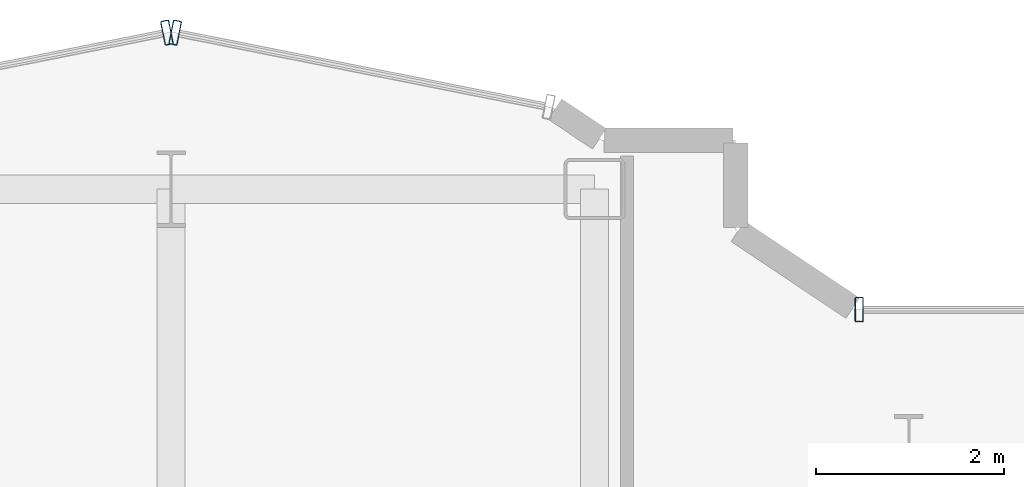
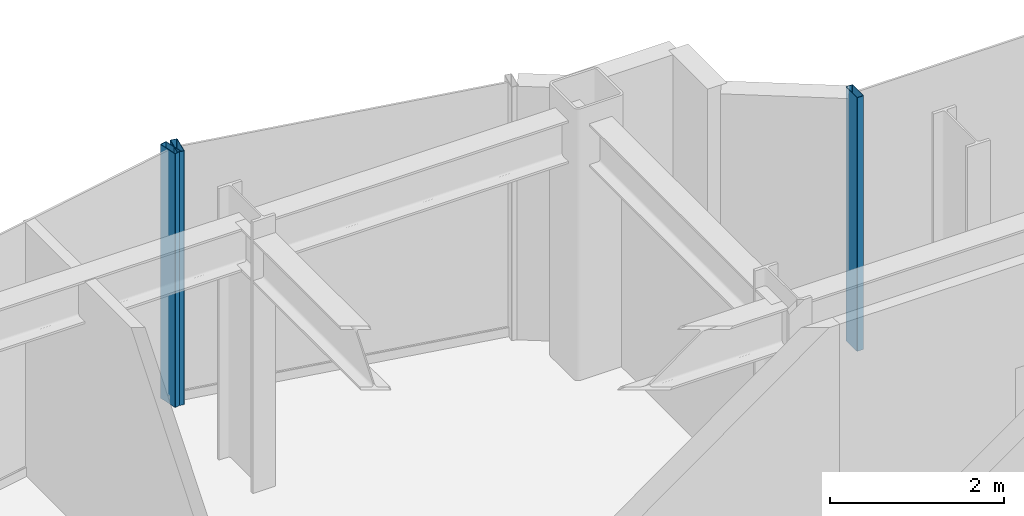
# One storey, part 11 of 21: 3 members, 3 elements without a shape of their own.
"""IFC4 building model written with IfcOpenShell, lengths in metres."""

import ifcopenshell
import ifcopenshell.guid

model = None  # the IFC model being written
_history = None  # IfcOwnerHistory: only IFC2X3 demands one
_inside = {}  # id of a spatial element -> (the spatial element, [elements in it])
_under = {}  # id of a project, library or spatial element -> (it, [spatial elements below it])
_declared = {}  # id of a project -> (the project, [libraries it declares])
_typed = {}  # id of a type object -> (the type object, [elements of that type])
_made_of = {}  # id of a material, layer set ... -> (it, [elements and type objects made of it])


def new_model(schema):
    """Start an empty IFC model of exactly this schema.

    Asked for "IFC4X3", IfcOpenShell would pick the latest addendum, in which some entities
    have other attributes; the version numbers below select the first issue.
    IFC2X3 requires an IfcOwnerHistory on every rooted entity: one is made here for all.
    """
    global model, _history
    if schema == "IFC4X3":
        model = ifcopenshell.file(schema_version=(4, 3, 0, 0))
    else:
        model = ifcopenshell.file(schema=schema)
    _inside.clear()
    _under.clear()
    _declared.clear()
    _typed.clear()
    _made_of.clear()
    _history = None
    if model.schema == "IFC2X3":
        org = make("IfcOrganization", Name="unknown")
        user = make(
            "IfcPersonAndOrganization",
            ThePerson=make("IfcPerson", FamilyName="unknown"),
            TheOrganization=org,
        )
        app = make(
            "IfcApplication",
            ApplicationDeveloper=org,
            Version="unknown",
            ApplicationFullName="unknown",
            ApplicationIdentifier="unknown",
        )
        _history = make(
            "IfcOwnerHistory",
            OwningUser=user,
            OwningApplication=app,
            ChangeAction="ADDED",
            CreationDate=0,
        )
    return model


def make(cls, **values):
    """One entity of the class cls with the attributes given. An attribute that is None is left unset."""
    return model.create_entity(
        cls, **{name: value for name, value in values.items() if value is not None}
    )


def rooted(cls, **values):
    """An entity with a GlobalId (a new one), such as an element, a storey or a relation."""
    return make(cls, GlobalId=ifcopenshell.guid.new(), OwnerHistory=_history, **values)


def si_unit(unit_type, name, prefix=None):
    """IfcSIUnit, for example si_unit("LENGTHUNIT", "METRE", prefix="MILLI")."""
    return make("IfcSIUnit", UnitType=unit_type, Prefix=prefix, Name=name)


def assignment(units):
    """IfcUnitAssignment: the units of a project."""
    return None if units is None else make("IfcUnitAssignment", Units=units)


def point(xyz):
    """IfcCartesianPoint."""
    return None if xyz is None else make("IfcCartesianPoint", Coordinates=xyz)


def direction(xyz):
    """IfcDirection."""
    return None if xyz is None else make("IfcDirection", DirectionRatios=xyz)


def frame(location, z_axis=None, x_axis=None):
    """IfcAxis2Placement3D, a coordinate frame: its origin and axes. An axis left out is left unset."""
    return make(
        "IfcAxis2Placement3D",
        Location=point(location),
        Axis=direction(z_axis),
        RefDirection=direction(x_axis),
    )


def frame_2d(location, x_axis=None):
    """IfcAxis2Placement2D, a coordinate frame in the plane: its origin and x axis."""
    return make(
        "IfcAxis2Placement2D", Location=point(location), RefDirection=direction(x_axis)
    )


def origin():
    """The frame at (0, 0, 0) with its axes left unset."""
    return frame((0.0, 0.0, 0.0))


def origin_2d():
    """The frame at (0, 0) in the plane with its x axis left unset."""
    return frame_2d((0.0, 0.0))


def place(relative_to, where):
    """IfcLocalPlacement: puts the frame where relative to a parent placement (None: the world)."""
    return make(
        "IfcLocalPlacement", PlacementRelTo=relative_to, RelativePlacement=where
    )


def context(
    kind, dimensions, precision=None, world=None, true_north=None, identifier=None
):
    """IfcGeometricRepresentationContext, for example the 3D "Model" context."""
    return make(
        "IfcGeometricRepresentationContext",
        ContextIdentifier=identifier,
        ContextType=kind,
        CoordinateSpaceDimension=dimensions,
        Precision=precision,
        WorldCoordinateSystem=world,
        TrueNorth=true_north,
    )


def subcontext(parent, identifier, kind, view, scale=None):
    """IfcGeometricRepresentationSubContext, for example "Body" below "Model"."""
    return make(
        "IfcGeometricRepresentationSubContext",
        ContextIdentifier=identifier,
        ContextType=kind,
        ParentContext=parent,
        TargetScale=scale,
        TargetView=view,
    )


def project(units=None, contexts=None):
    """IfcProject with its units and contexts."""
    return rooted(
        "IfcProject",
        Name="project",
        RepresentationContexts=contexts,
        UnitsInContext=assignment(units),
    )


def spatial(cls, under=None, at=None, **own):
    """A site, building, storey or space (cls), placed at a placement, below another one or the project."""
    s = rooted(cls, ObjectPlacement=at, **own)
    if under is not None:
        _under.setdefault(under.id(), (under, []))[1].append(s)
    return s


def profile(cls, at=None, kind="AREA", **sizes):
    """A parametric profile (cls). Its sizes go by their IFC names, for example OverallWidth=200.0."""
    return make(cls, ProfileType=kind, Position=at, **sizes)


def hollow_rectangle(**sizes):
    """IfcRectangleHollowProfileDef."""
    return profile("IfcRectangleHollowProfileDef", **sizes)


def extrude(swept, where, along, depth):
    """IfcExtrudedAreaSolid: the profile swept, set in the frame where, extruded along a direction by depth."""
    return make(
        "IfcExtrudedAreaSolid",
        SweptArea=swept,
        Position=where,
        ExtrudedDirection=direction(along),
        Depth=depth,
    )


def shape(context_of_items, identifier, shape_type, items):
    """IfcShapeRepresentation: the items that make up one representation, for example the "Body"."""
    return make(
        "IfcShapeRepresentation",
        ContextOfItems=context_of_items,
        RepresentationIdentifier=identifier,
        RepresentationType=shape_type,
        Items=items,
    )


def source(mapping_origin, context_of_items, identifier, shape_type, items):
    """IfcRepresentationMap: a shape defined once, which mapped items show again and again."""
    return make(
        "IfcRepresentationMap",
        MappingOrigin=mapping_origin,
        MappedRepresentation=shape(context_of_items, identifier, shape_type, items),
    )


def transform(
    local_origin,
    x_axis=None,
    y_axis=None,
    z_axis=None,
    scale=None,
    scale2=None,
    scale3=None,
    uniform=True,
):
    """IfcCartesianTransformationOperator3D, or its non-uniform kind. x_axis, y_axis, z_axis: its Axis1, 2, 3."""
    if uniform:
        return make(
            "IfcCartesianTransformationOperator3D",
            Axis1=direction(x_axis),
            Axis2=direction(y_axis),
            LocalOrigin=point(local_origin),
            Scale=scale,
            Axis3=direction(z_axis),
        )
    return make(
        "IfcCartesianTransformationOperator3DnonUniform",
        Axis1=direction(x_axis),
        Axis2=direction(y_axis),
        LocalOrigin=point(local_origin),
        Scale=scale,
        Axis3=direction(z_axis),
        Scale2=scale2,
        Scale3=scale3,
    )


def mapped(mapping_source, mapping_target):
    """IfcMappedItem: shows the shape of a source again, moved by a transform."""
    return make(
        "IfcMappedItem", MappingSource=mapping_source, MappingTarget=mapping_target
    )


def material(Name=None, Category=None):
    """IfcMaterial."""
    return make("IfcMaterial", Name=Name, Category=Category)


def layer(
    of_material, thickness, ventilated=None, Name=None, Category=None, Priority=None
):
    """IfcMaterialLayer: one layer of a wall or slab, of a material (None: an air gap)."""
    return make(
        "IfcMaterialLayer",
        Material=of_material,
        LayerThickness=thickness,
        IsVentilated=ventilated,
        Name=Name,
        Category=Category,
        Priority=Priority,
    )


def layer_set(layers, Name=None):
    """IfcMaterialLayerSet."""
    return make("IfcMaterialLayerSet", MaterialLayers=layers, LayerSetName=Name)


def material_profile(
    of_material, cross_section, Name=None, Category=None, Priority=None
):
    """IfcMaterialProfile: a cross section and its material."""
    return make(
        "IfcMaterialProfile",
        Name=Name,
        Material=of_material,
        Profile=cross_section,
        Priority=Priority,
        Category=Category,
    )


def profile_set(profiles, Name=None, composite=None):
    """IfcMaterialProfileSet."""
    return make(
        "IfcMaterialProfileSet",
        Name=Name,
        MaterialProfiles=profiles,
        CompositeProfile=composite,
    )


def made_of(thing, what):
    """Note that an element or type object is made of a material, layer set ...; save() writes the relation."""
    if what is not None:
        _made_of.setdefault(what.id(), (what, []))[1].append(thing)
    return thing


def type_object(cls, material=None, **own):
    """A type object (cls), such as IfcWallType, which elements share."""
    return made_of(rooted(cls, **own), material)


def element(
    cls,
    number,
    at=None,
    inside=None,
    cuts=None,
    type_object=None,
    material=None,
    context=None,
    identifier="Body",
    shape_type=None,
    held_by="IfcProductDefinitionShape",
    body=None,
    shapes=None,
    **own,
):
    """One element of the class cls, such as IfcWall. Its Tag is "e" and its number.

    at: its placement. inside: the storey or other place that contains it. cuts: it is an
    opening in that element (IfcRelVoidsElement). A single representation is given by context,
    identifier, shape_type and body (its items); several are given by shapes. held_by: the class
    of the entity that holds the representations. save() writes the other relations.
    """
    e = rooted(cls, Tag="e%d" % number, ObjectPlacement=at, **own)
    if body is not None:
        shapes = [shape(context, identifier, shape_type, body)]
    if shapes is not None:
        e.Representation = make(held_by, Representations=shapes)
    if inside is not None:
        _inside.setdefault(inside.id(), (inside, []))[1].append(e)
    if cuts is not None:
        rooted(
            "IfcRelVoidsElement", RelatingBuildingElement=cuts, RelatedOpeningElement=e
        )
    if type_object is not None:
        _typed.setdefault(type_object.id(), (type_object, []))[1].append(e)
    return made_of(e, material)


def aggregate(whole, parts):
    """IfcRelAggregates: a whole, such as a stair, and the parts it consists of."""
    return rooted("IfcRelAggregates", RelatingObject=whole, RelatedObjects=parts)


def save(model, path):
    """Write the relations noted so far, then the file.

    IfcRelAggregates (storeys below a building ...), IfcRelContainedInSpatialStructure (elements
    in a storey), IfcRelDefinesByType, IfcRelAssociatesMaterial and IfcRelDeclares: one each for
    every whole, place, type object, material and project.
    """
    for whole, parts in _under.values():
        aggregate(whole, parts)
    for where, things in _inside.values():
        rooted(
            "IfcRelContainedInSpatialStructure",
            RelatedElements=things,
            RelatingStructure=where,
        )
    for kind, things in _typed.values():
        rooted("IfcRelDefinesByType", RelatedObjects=things, RelatingType=kind)
    for what, things in _made_of.values():
        rooted("IfcRelAssociatesMaterial", RelatedObjects=things, RelatingMaterial=what)
    for by, libraries in _declared.values():
        rooted("IfcRelDeclares", RelatingContext=by, RelatedDefinitions=libraries)
    model.write(path)


model = new_model("IFC4")

# Units and contexts
model_context = context("Model", 3, precision=1e-05, world=origin(), true_north=direction((0.0, 1.0)))
body_context = subcontext(model_context, "Body", "Model", "MODEL_VIEW")
ifc_project = project(units=[si_unit("LENGTHUNIT", "METRE"), si_unit("AREAUNIT", "SQUARE_METRE"), si_unit("VOLUMEUNIT", "CUBIC_METRE"), si_unit("PLANEANGLEUNIT", "RADIAN"), si_unit("MASSUNIT", "GRAM", prefix="KILO")], contexts=[model_context])

# Site, building, storey
site_placement = place(None, origin())
site = spatial("IfcSite", under=ifc_project, at=site_placement, CompositionType="ELEMENT")
building_placement = place(site_placement, origin())
building = spatial("IfcBuilding", under=site, at=building_placement, Name="Nefas-Gora Pilgrimage Tower", CompositionType="ELEMENT")
storey_placement = place(building_placement, frame((0.0, 0.0, 252.199951171875)))
storey = spatial("IfcBuildingStorey", under=building, at=storey_placement, Name="L63", CompositionType="ELEMENT", Elevation=252.199951171875)

# Curtain wall, member
ifc_material_1 = material(Name="Dark ceramic-fritted solar-control aluminium-glass curtain wall", Category="aluminium")
ifc_layer = layer(ifc_material_1, 0.219970703125)
ifc_layer_set = layer_set([ifc_layer], Name="Dark ceramic-fritted solar-control aluminium-glass curtain wall")
curtain_wall_type = type_object("IfcCurtainWallType", Name="CW-SYS-5", PredefinedType="NOTDEFINED", material=ifc_layer_set)
curtain_wall_1_placement = place(storey_placement, origin())
curtain_wall_1 = element("IfcCurtainWall", 1, at=curtain_wall_1_placement, inside=storey, type_object=curtain_wall_type, Name="L63 Unitised Curtain Wall CW5", PredefinedType="NOTDEFINED")
ifc_material_2 = material(Name="Anodised architectural aluminium", Category="aluminium")
ifc_material_profile = material_profile(ifc_material_2, hollow_rectangle(XDim=0.090087890625, YDim=0.260009765625, WallThickness=0.006103515625, InnerFilletRadius=0.006103515625, OuterFilletRadius=0.011962890625, at=origin_2d()), Name="ALU MULLION 90x260")
ifc_profile_set = profile_set([ifc_material_profile], Name="Anodised architectural aluminium")
member_type = type_object("IfcMemberType", Name="CWM-MUL-5", PredefinedType="MULLION", material=ifc_profile_set)
shared_shape = source(origin(), body_context, "Body", "SweptSolid", [
    extrude(hollow_rectangle(XDim=0.090087890625, YDim=0.260009765625, WallThickness=0.006103515625, InnerFilletRadius=0.006103515625, OuterFilletRadius=0.011962890625, at=origin_2d()), origin(), (0.0, 0.0, 1.0), 3.550048828125),
])
member_1_placement = place(storey_placement, frame((5.06298828125, 21.219970703125, 0.0), z_axis=(0.0, 0.0, 1.0), x_axis=(-1.0, 0.0, 0.0)))
member_1 = element("IfcMember", 2, at=member_1_placement, type_object=member_type, Name="CW5 Mullion 2", PredefinedType="MULLION", context=body_context, shape_type="MappedRepresentation", body=[
    mapped(shared_shape, transform((0.0, 0.0, 0.0), x_axis=(1.0, 0.0, 0.0), y_axis=(0.0, 1.0, 0.0), z_axis=(0.0, 0.0, 1.0), scale=1.0)),
])
aggregate(curtain_wall_1, [member_1])

curtain_wall_2_placement = place(storey_placement, origin())
curtain_wall_2 = element("IfcCurtainWall", 3, at=curtain_wall_2_placement, inside=storey, type_object=curtain_wall_type, Name="L63 Unitised Curtain Wall CW5", PredefinedType="NOTDEFINED")
member_2_placement = place(storey_placement, frame((-2.205810546875, 24.16357421875, 0.0), z_axis=(0.0, 0.0, 1.0), x_axis=(-0.980782896852, 0.195102304554, 0.0)))
member_2 = element("IfcMember", 4, at=member_2_placement, type_object=member_type, Name="CW5 Mullion 2", PredefinedType="MULLION", context=body_context, shape_type="MappedRepresentation", body=[
    mapped(shared_shape, transform((0.0, 0.0, 0.0), x_axis=(1.0, 0.0, 0.0), y_axis=(0.0, 1.0, 0.0), z_axis=(0.0, 0.0, 1.0), scale=1.0)),
])
aggregate(curtain_wall_2, [member_2])

curtain_wall_3_placement = place(storey_placement, origin())
curtain_wall_3 = element("IfcCurtainWall", 5, at=curtain_wall_3_placement, inside=storey, type_object=curtain_wall_type, Name="L63 Unitised Curtain Wall CW5", PredefinedType="NOTDEFINED")
member_3_placement = place(storey_placement, frame((-2.294189453125, 24.16357421875, 0.0), z_axis=(0.0, 0.0, 1.0), x_axis=(-0.980782896852, -0.195102304554, 0.0)))
member_3 = element("IfcMember", 6, at=member_3_placement, type_object=member_type, Name="CW5 Mullion 1", PredefinedType="MULLION", context=body_context, shape_type="MappedRepresentation", body=[
    mapped(shared_shape, transform((0.0, 0.0, 0.0), x_axis=(1.0, 0.0, 0.0), y_axis=(0.0, 1.0, 0.0), z_axis=(0.0, 0.0, 1.0), scale=1.0)),
])
aggregate(curtain_wall_3, [member_3])

save(model, "model.ifc")
